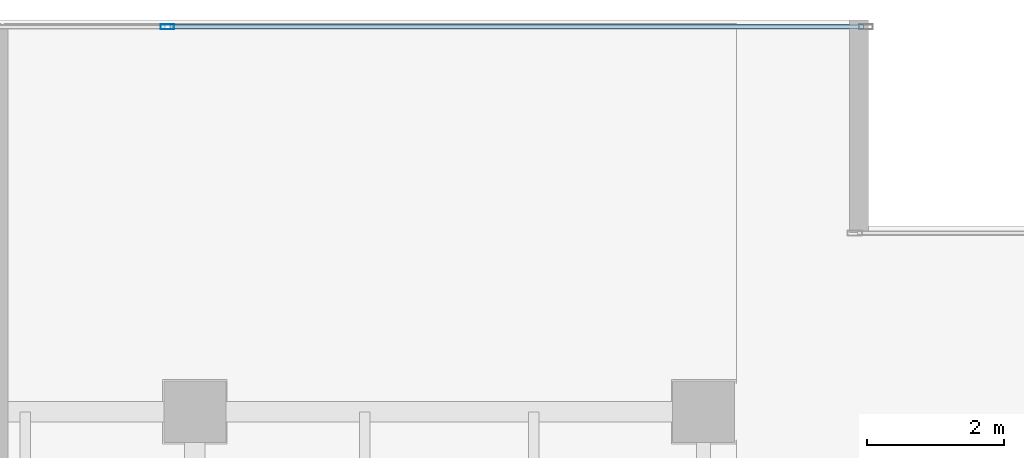
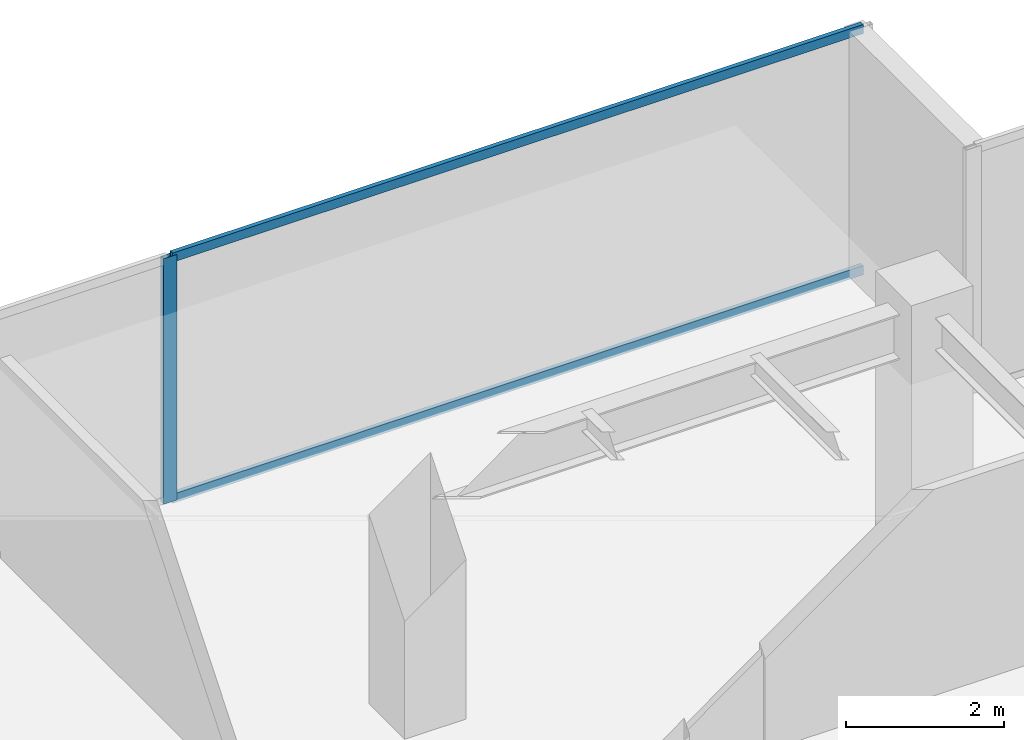
# One storey, part 20 of 34: 3 members, 1 element without a shape of its own.
"""IFC4 building model written with IfcOpenShell, lengths in metres."""

from ifc_helpers import new_model, si_unit, direction, frame, origin, origin_2d, place, context, subcontext, project, spatial, hollow_rectangle, extrude, source, transform, mapped, material, layer, layer_set, material_profile, profile_set, type_object, type_shapes, element, aggregate, save


model = new_model("IFC4")

# Units and contexts
model_context = context("Model", 3, precision=1e-05, world=origin(), true_north=direction((0.0, 1.0)))
body_context = subcontext(model_context, "Body", "Model", "MODEL_VIEW")
ifc_project = project(units=[si_unit("LENGTHUNIT", "METRE"), si_unit("AREAUNIT", "SQUARE_METRE"), si_unit("VOLUMEUNIT", "CUBIC_METRE"), si_unit("PLANEANGLEUNIT", "RADIAN"), si_unit("MASSUNIT", "GRAM", prefix="KILO")], contexts=[model_context])

# Site, building, storey
site_placement = place(None, origin())
site = spatial("IfcSite", under=ifc_project, at=site_placement, CompositionType="ELEMENT")
building_placement = place(site_placement, origin())
building = spatial("IfcBuilding", under=site, at=building_placement, Name="Haelvirn Gate Laboratories", CompositionType="ELEMENT")
storey_placement = place(building_placement, frame((0.0, 0.0, 178.89990234375)))
storey = spatial("IfcBuildingStorey", under=building, at=storey_placement, Name="L43", CompositionType="ELEMENT", Elevation=178.89990234375)

# Curtain wall, members
ifc_material_1 = material(Name="Anodised bronze unitised aluminium & triple low-E glass", Category="aluminium")
ifc_layer = layer(ifc_material_1, 0.179931640625, Name="CW-SYS-3")
ifc_layer_set = layer_set([ifc_layer], Name="Anodised bronze unitised aluminium & triple low-E glass")
curtain_wall_type = type_object("IfcCurtainWallType", Name="CW-SYS-3", PredefinedType="NOTDEFINED", material=ifc_layer_set)
curtain_wall_placement = place(storey_placement, origin())
curtain_wall = element("IfcCurtainWall", 1, at=curtain_wall_placement, inside=storey, type_object=curtain_wall_type, Name="L43 Unitised Curtain Wall CW-L43-P0-E10-1", PredefinedType="NOTDEFINED")
ifc_material_2 = material(Name="Extruded aluminium 6063-T6 (anodised bronze)", Category="aluminium")
ifc_material_profile_1 = material_profile(ifc_material_2, hollow_rectangle(XDim=0.06494140625, YDim=0.139892578125, WallThickness=0.00390625, at=origin_2d()), Name="CWT-140x65x4")
ifc_profile_set_1 = profile_set([ifc_material_profile_1], Name="Extruded aluminium 6063-T6 (anodised bronze)")
member_type_1 = type_object("IfcMemberType", Name="CWT-T140", PredefinedType="USERDEFINED", material=ifc_profile_set_1)
shared_shape_1 = source(origin(), body_context, "Body", "SweptSolid", [
    extrude(hollow_rectangle(XDim=0.06494140625, YDim=0.139892578125, WallThickness=0.00390625, at=origin_2d()), origin(), (0.0, 0.0, 1.0), 10.087646484375),
])
type_shapes(member_type_1, [shared_shape_1])
member_1_placement = place(storey_placement, frame((59.637451171875, 47.199951171875, 0.03271484375), z_axis=(1.0, 0.0, 0.0), x_axis=(0.0, 1.0, 0.0)))
member_1 = element("IfcMember", 2, at=member_1_placement, type_object=member_type_1, Name="CW3 transom 2.1", ObjectType="TRANSOM", PredefinedType="USERDEFINED", context=body_context, shape_type="MappedRepresentation", body=[
    mapped(shared_shape_1, transform((0.0, 0.0, 0.0), scale=1.0)),
])
member_2_placement = place(storey_placement, frame((59.637451171875, 47.199951171875, 3.757568359375), z_axis=(1.0, 0.0, 0.0), x_axis=(0.0, 1.0, 0.0)))
member_2 = element("IfcMember", 3, at=member_2_placement, type_object=member_type_1, Name="CW3 transom 2.2", ObjectType="TRANSOM", PredefinedType="USERDEFINED", context=body_context, shape_type="MappedRepresentation", body=[
    mapped(shared_shape_1, transform((0.0, 0.0, 0.0), scale=1.0)),
])
ifc_material_profile_2 = material_profile(ifc_material_2, hollow_rectangle(XDim=0.074951171875, YDim=0.199951171875, WallThickness=0.0048828125, at=origin_2d()), Name="CWM-200x75x5")
ifc_profile_set_2 = profile_set([ifc_material_profile_2], Name="Extruded aluminium 6063-T6 (anodised bronze)")
member_type_2 = type_object("IfcMemberType", Name="CWM-T200", PredefinedType="MULLION", material=ifc_profile_set_2)
shared_shape_2 = source(origin(), body_context, "Body", "SweptSolid", [
    extrude(hollow_rectangle(XDim=0.074951171875, YDim=0.199951171875, WallThickness=0.0048828125, at=origin_2d()), origin(), (0.0, 0.0, 1.0), 3.7900390625),
])
type_shapes(member_type_2, [shared_shape_2])
member_3_placement = place(storey_placement, frame((59.60009765625, 47.199951171875, 0.0), z_axis=(0.0, 0.0, 1.0), x_axis=(0.0, 1.0, 0.0)))
member_3 = element("IfcMember", 4, at=member_3_placement, type_object=member_type_2, Name="CW3 mullion 2", PredefinedType="MULLION", context=body_context, shape_type="MappedRepresentation", body=[
    mapped(shared_shape_2, transform((0.0, 0.0, 0.0), scale=1.0)),
])
aggregate(curtain_wall, [member_3, member_1, member_2])

save(model, "model.ifc")
